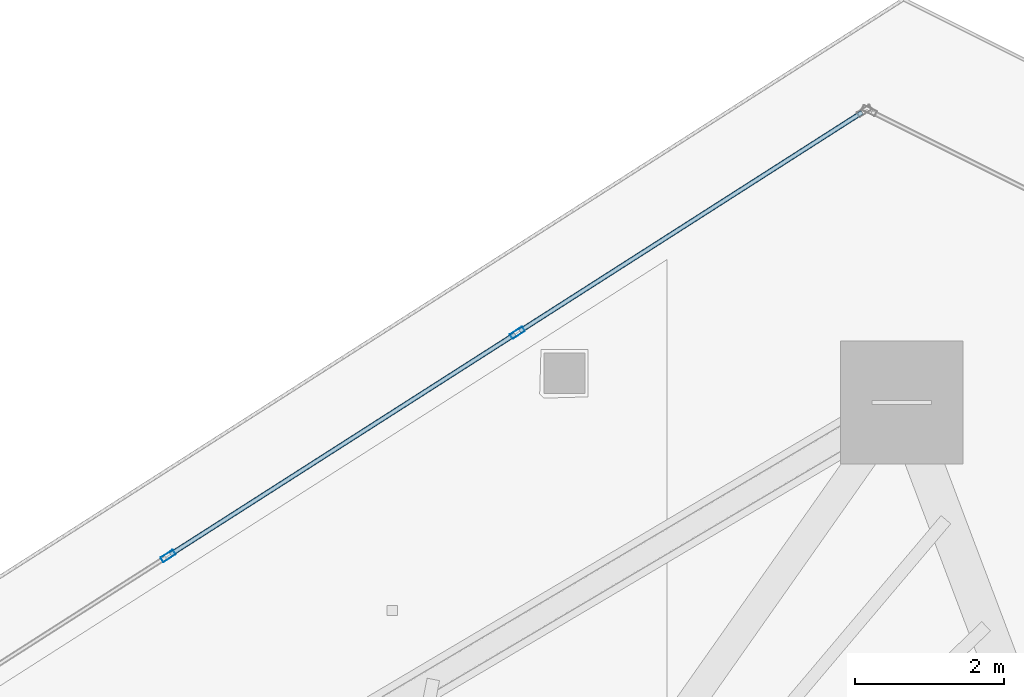
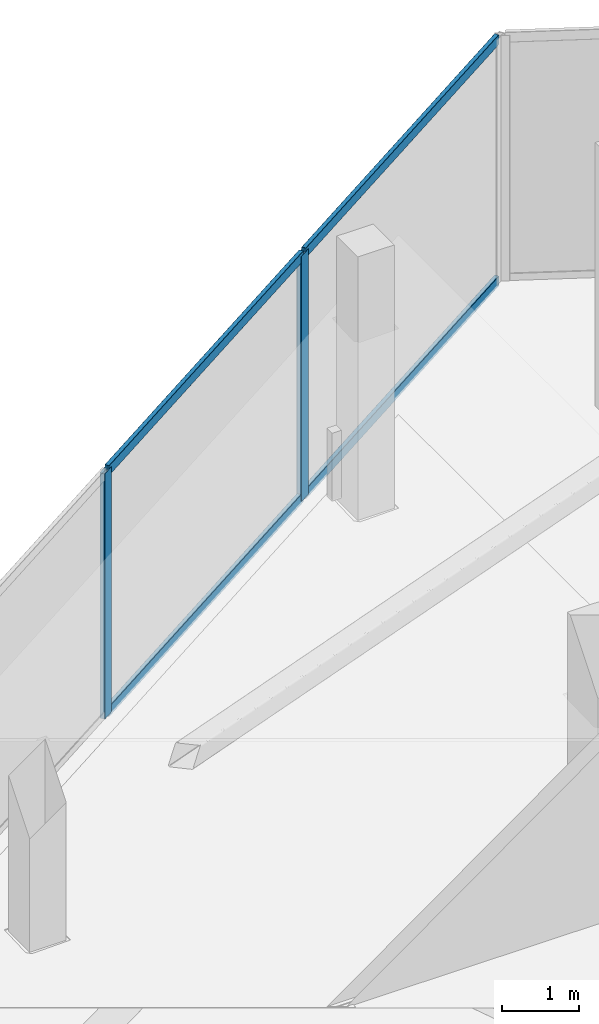
# One storey, part 19 of 34: 6 members, 1 element without a shape of its own.
"""IFC4 building model written with IfcOpenShell, lengths in metres."""

from ifc_helpers import new_model, si_unit, direction, frame, origin, origin_2d, place, context, subcontext, project, spatial, hollow_rectangle, extrude, material, layer, layer_set, material_profile, profile_set, type_object, element, aggregate, save


model = new_model("IFC4")

# Units and contexts
model_context = context("Model", 3, precision=1e-05, world=origin(), true_north=direction((0.0, 1.0)))
body_context = subcontext(model_context, "Body", "Model", "MODEL_VIEW")
ifc_project = project(units=[si_unit("LENGTHUNIT", "METRE"), si_unit("AREAUNIT", "SQUARE_METRE"), si_unit("VOLUMEUNIT", "CUBIC_METRE"), si_unit("PLANEANGLEUNIT", "RADIAN"), si_unit("MASSUNIT", "GRAM", prefix="KILO")], contexts=[model_context])

# Site, building, storey
site_placement = place(None, origin())
site = spatial("IfcSite", under=ifc_project, at=site_placement, CompositionType="ELEMENT")
building_placement = place(site_placement, origin())
building = spatial("IfcBuilding", under=site, at=building_placement, Name="Qorvath Tower", CompositionType="ELEMENT")
storey_placement = place(building_placement, frame((0.0, 0.0, 276.60009765625)))
storey = spatial("IfcBuildingStorey", under=building, at=storey_placement, Name="L64", CompositionType="ELEMENT", Elevation=276.60009765625)

# Curtain wall, members
ifc_material_1 = material(Name="Anodised aluminium and triple low-E glass", Category="aluminium")
ifc_layer = layer(ifc_material_1, 0.179931640625)
ifc_layer_set = layer_set([ifc_layer], Name="CW-SYS-4")
curtain_wall_type = type_object("IfcCurtainWallType", Name="CW-SYS-4", PredefinedType="NOTDEFINED", material=ifc_layer_set)
curtain_wall_placement = place(storey_placement, origin())
curtain_wall = element("IfcCurtainWall", 1, at=curtain_wall_placement, inside=storey, type_object=curtain_wall_type, Name="Curtain Wall CW-4 CW-T-L64-16.1", PredefinedType="NOTDEFINED")
ifc_material_2 = material(Name="Anodised aluminium 6063-T6", Category="aluminium")
ifc_material_profile_1 = material_profile(ifc_material_2, hollow_rectangle(XDim=0.074951171875, YDim=0.199951171875, WallThickness=0.00390625, InnerFilletRadius=0.00390625, OuterFilletRadius=0.008056640625, at=origin_2d()), Name="CWM 200x75")
ifc_profile_set_1 = profile_set([ifc_material_profile_1], Name="Anodised aluminium 6063-T6")
member_type_1 = type_object("IfcMemberType", Name="CWM-200", PredefinedType="MULLION", material=ifc_profile_set_1)
member_1_placement = place(storey_placement, frame((-22.687255859375, 21.04150390625, 0.0), z_axis=(0.0, 0.0, 1.0), x_axis=(0.538533509281, -0.842604094093, 0.0)))
member_1 = element("IfcMember", 2, at=member_1_placement, type_object=member_type_1, Name="CW-4 mullion 2", PredefinedType="MULLION", context=body_context, shape_type="SweptSolid", body=[
    extrude(hollow_rectangle(XDim=0.074951171875, YDim=0.199951171875, WallThickness=0.00390625, InnerFilletRadius=0.00390625, OuterFilletRadius=0.008056640625, at=origin_2d()), origin(), (0.0, 0.0, 1.0), 3.909912109375),
])
member_2_placement = place(storey_placement, frame((-27.390380859375, 18.03564453125, 0.0), z_axis=(0.0, 0.0, 1.0), x_axis=(0.538533509281, -0.842604094093, 0.0)))
member_2 = element("IfcMember", 3, at=member_2_placement, type_object=member_type_1, Name="CW-4 mullion 3", PredefinedType="MULLION", context=body_context, shape_type="SweptSolid", body=[
    extrude(hollow_rectangle(XDim=0.074951171875, YDim=0.199951171875, WallThickness=0.00390625, InnerFilletRadius=0.00390625, OuterFilletRadius=0.008056640625, at=origin_2d()), origin(), (0.0, 0.0, 1.0), 3.909912109375),
])
ifc_material_3 = material(Name="Anodised aluminium 6063-T6", Category="aluminium")
ifc_material_profile_2 = material_profile(ifc_material_3, hollow_rectangle(XDim=0.06494140625, YDim=0.159912109375, WallThickness=0.00341796875, InnerFilletRadius=0.00341796875, OuterFilletRadius=0.007080078125, at=origin_2d()), Name="CWT 160x65")
ifc_profile_set_2 = profile_set([ifc_material_profile_2], Name="Anodised aluminium 6063-T6")
member_type_2 = type_object("IfcMemberType", Name="CWT-160", PredefinedType="USERDEFINED", material=ifc_profile_set_2)
member_3_placement = place(storey_placement, frame((-18.04736328125, 24.007080078125, 0.032470703125), z_axis=(-0.842608486836, -0.538526636215, 0.0), x_axis=(0.538526636215, -0.842608486836, 0.0)))
member_3 = element("IfcMember", 4, at=member_3_placement, type_object=member_type_2, Name="CW-4 transom 1.1", ObjectType="TRANSOM", PredefinedType="USERDEFINED", context=body_context, shape_type="SweptSolid", body=[
    extrude(hollow_rectangle(XDim=0.06494140625, YDim=0.159912109375, WallThickness=0.00341796875, InnerFilletRadius=0.00341796875, OuterFilletRadius=0.007080078125, at=origin_2d()), origin(), (0.0, 0.0, 1.0), 5.46923828125),
])
member_4_placement = place(storey_placement, frame((-18.04736328125, 24.007080078125, 3.87744140625), z_axis=(-0.842608486836, -0.538526636215, 0.0), x_axis=(0.538526636215, -0.842608486836, 0.0)))
member_4 = element("IfcMember", 5, at=member_4_placement, type_object=member_type_2, Name="CW-4 transom 1.2", ObjectType="TRANSOM", PredefinedType="USERDEFINED", context=body_context, shape_type="SweptSolid", body=[
    extrude(hollow_rectangle(XDim=0.06494140625, YDim=0.159912109375, WallThickness=0.00341796875, InnerFilletRadius=0.00341796875, OuterFilletRadius=0.007080078125, at=origin_2d()), origin(), (0.0, 0.0, 1.0), 5.46923828125),
])
member_5_placement = place(storey_placement, frame((-22.71875, 21.021240234375, 0.032470703125), z_axis=(-0.842610204835, -0.538523948129, 0.0), x_axis=(0.538523948129, -0.842610204835, 0.0)))
member_5 = element("IfcMember", 6, at=member_5_placement, type_object=member_type_2, Name="CW-4 transom 2.1", ObjectType="TRANSOM", PredefinedType="USERDEFINED", context=body_context, shape_type="SweptSolid", body=[
    extrude(hollow_rectangle(XDim=0.06494140625, YDim=0.159912109375, WallThickness=0.00341796875, InnerFilletRadius=0.00341796875, OuterFilletRadius=0.007080078125, at=origin_2d()), origin(), (0.0, 0.0, 1.0), 5.5068359375),
])
member_6_placement = place(storey_placement, frame((-22.71875, 21.021240234375, 3.87744140625), z_axis=(-0.842610204835, -0.538523948129, 0.0), x_axis=(0.538523948129, -0.842610204835, 0.0)))
member_6 = element("IfcMember", 7, at=member_6_placement, type_object=member_type_2, Name="CW-4 transom 2.2", ObjectType="TRANSOM", PredefinedType="USERDEFINED", context=body_context, shape_type="SweptSolid", body=[
    extrude(hollow_rectangle(XDim=0.06494140625, YDim=0.159912109375, WallThickness=0.00341796875, InnerFilletRadius=0.00341796875, OuterFilletRadius=0.007080078125, at=origin_2d()), origin(), (0.0, 0.0, 1.0), 5.5068359375),
])
aggregate(curtain_wall, [member_1, member_2, member_3, member_4, member_5, member_6])

save(model, "model.ifc")
